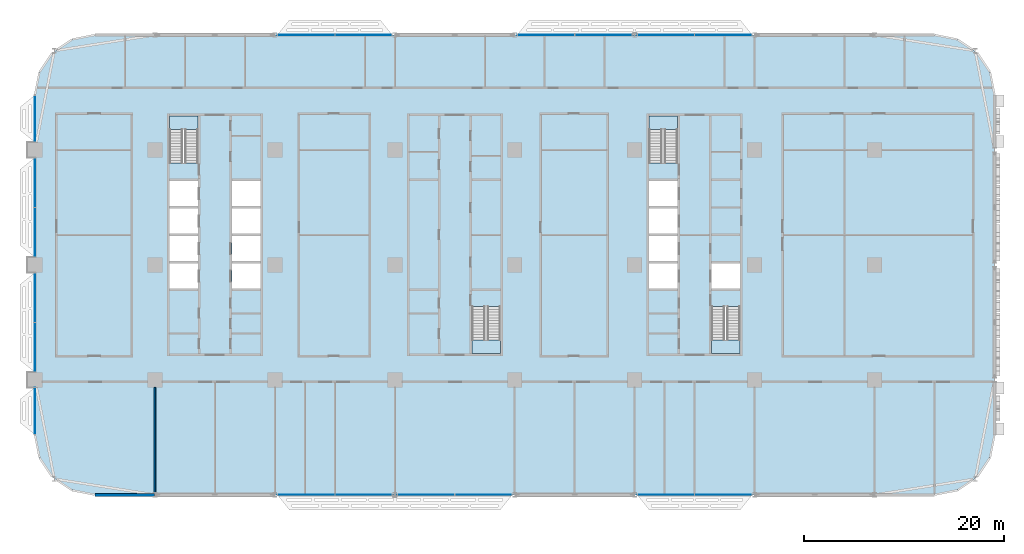
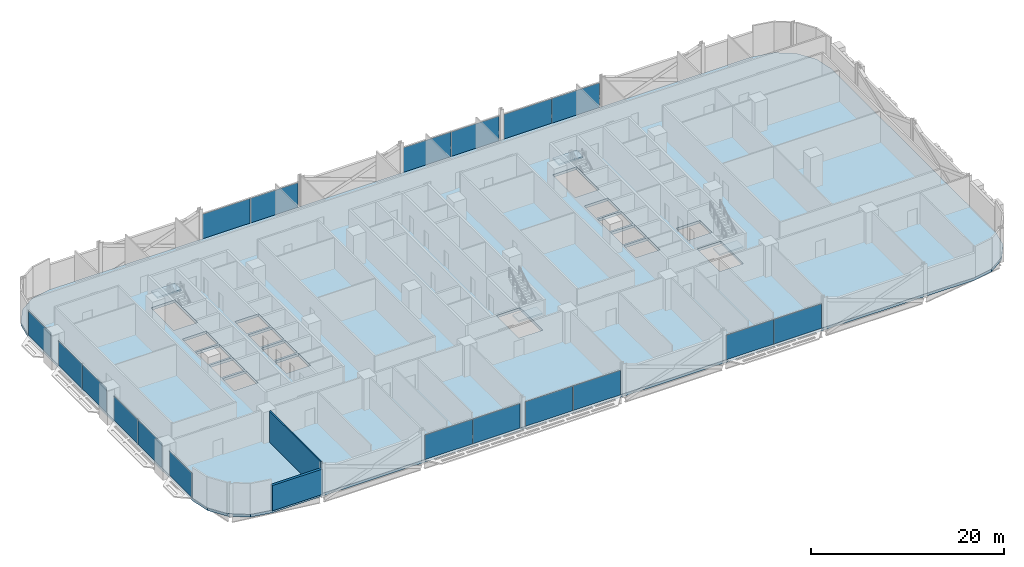
# One storey, part 11 of 29: 18 plates, 5 slabs, 2 walls, 14 elements without a shape of their own.
"""IFC4 building model written with IfcOpenShell, lengths in metres."""

from ifc_helpers import new_model, si_unit, direction, frame, frame_2d, origin, origin_2d, place, context, subcontext, project, spatial, polyline, rectangle, outline, extrude, material, layer, layer_set, type_object, element, aggregate, save


model = new_model("IFC4")

# Units and contexts
model_context = context("Model", 3, precision=1e-05, world=origin(), true_north=direction((0.0, 1.0)))
body_context = subcontext(model_context, "Body", "Model", "MODEL_VIEW")
ifc_project = project(units=[si_unit("LENGTHUNIT", "METRE"), si_unit("AREAUNIT", "SQUARE_METRE"), si_unit("VOLUMEUNIT", "CUBIC_METRE"), si_unit("PLANEANGLEUNIT", "RADIAN"), si_unit("MASSUNIT", "GRAM", prefix="KILO")], contexts=[model_context])

# Site, building, storey
site_placement = place(None, origin())
site = spatial("IfcSite", under=ifc_project, at=site_placement, CompositionType="ELEMENT")
building_placement = place(site_placement, origin())
building = spatial("IfcBuilding", under=site, at=building_placement, Name="Mahtab Terrace Research Tower", CompositionType="ELEMENT")
storey_placement = place(building_placement, frame((0.0, 0.0, 58.89990234375)))
storey = spatial("IfcBuildingStorey", under=building, at=storey_placement, Name="L13", CompositionType="ELEMENT", Elevation=58.89990234375)

# Stair, slab
ifc_material_1 = material(Name="Exit stair half-turn")
stair_type = type_object("IfcStairType", Name="Exit stair half-turn", PredefinedType="HALF_TURN_STAIR", material=ifc_material_1)
stair_1_placement = place(storey_placement, origin())
stair_1 = element("IfcStair", 1, at=stair_1_placement, inside=storey, type_object=stair_type, Name="L13 Protected exit stair ST1", PredefinedType="HALF_TURN_STAIR")
ifc_material_2 = material(Name="Concrete C40/50", Category="concrete")
ifc_layer_1 = layer(ifc_material_2, 0.199951171875)
ifc_layer_set_1 = layer_set([ifc_layer_1], Name="Exit stair landing 200")
slab_type_1 = type_object("IfcSlabType", Name="Exit stair landing 200", PredefinedType="LANDING", material=ifc_layer_set_1)
slab_1_placement = place(storey_placement, frame((0.0, 0.0, 1.9501953125)))
slab_1 = element("IfcSlab", 2, at=slab_1_placement, type_object=slab_type_1, Name="ST1 landing 1", PredefinedType="LANDING", context=body_context, shape_type="SweptSolid", body=[
    extrude(outline(polyline([(-25.699951171875, 13.534912109375), (-25.699951171875, 14.875), (-28.550048828125, 14.875), (-28.550048828125, 13.534912109375), (-25.699951171875, 13.534912109375)])), origin(), (0.0, 0.0, 1.0), 0.199951171875),
])
aggregate(stair_1, [slab_1])

stair_2_placement = place(storey_placement, origin())
stair_2 = element("IfcStair", 3, at=stair_2_placement, inside=storey, type_object=stair_type, Name="L13 Protected exit stair ST2", PredefinedType="HALF_TURN_STAIR")
slab_2_placement = place(storey_placement, frame((0.0, 0.0, 1.9501953125)))
slab_2 = element("IfcSlab", 4, at=slab_2_placement, type_object=slab_type_1, Name="ST2 landing 1", PredefinedType="LANDING", context=body_context, shape_type="SweptSolid", body=[
    extrude(outline(polyline([(1.699951171875, -7.534912109375), (1.699951171875, -8.875), (4.550048828125, -8.875), (4.550048828125, -7.534912109375), (1.699951171875, -7.534912109375)])), origin(), (0.0, 0.0, 1.0), 0.199951171875),
])
aggregate(stair_2, [slab_2])

stair_3_placement = place(storey_placement, origin())
stair_3 = element("IfcStair", 5, at=stair_3_placement, inside=storey, type_object=stair_type, Name="L13 Protected exit stair ST3", PredefinedType="HALF_TURN_STAIR")
slab_3_placement = place(storey_placement, frame((0.0, 0.0, 1.9501953125)))
slab_3 = element("IfcSlab", 6, at=slab_3_placement, type_object=slab_type_1, Name="ST3 landing 1", PredefinedType="LANDING", context=body_context, shape_type="SweptSolid", body=[
    extrude(outline(polyline([(22.300048828125, 13.534912109375), (22.300048828125, 14.875), (19.449951171875, 14.875), (19.449951171875, 13.534912109375), (22.300048828125, 13.534912109375)])), origin(), (0.0, 0.0, 1.0), 0.199951171875),
])
aggregate(stair_3, [slab_3])

stair_4_placement = place(storey_placement, origin())
stair_4 = element("IfcStair", 7, at=stair_4_placement, inside=storey, type_object=stair_type, Name="L13 Protected exit stair ST4", PredefinedType="HALF_TURN_STAIR")
slab_4_placement = place(storey_placement, frame((0.0, 0.0, 1.9501953125)))
slab_4 = element("IfcSlab", 8, at=slab_4_placement, type_object=slab_type_1, Name="ST4 landing 1", PredefinedType="LANDING", context=body_context, shape_type="SweptSolid", body=[
    extrude(outline(polyline([(25.699951171875, -7.534912109375), (25.699951171875, -8.875), (28.550048828125, -8.875), (28.550048828125, -7.534912109375), (25.699951171875, -7.534912109375)])), origin(), (0.0, 0.0, 1.0), 0.199951171875),
])
aggregate(stair_4, [slab_4])

# Curtain wall, plates
ifc_material_3 = material(Name="Laboratory ribbon curtain wall")
curtain_wall_type = type_object("IfcCurtainWallType", Name="Laboratory ribbon curtain wall", PredefinedType="NOTDEFINED", material=ifc_material_3)
curtain_wall_1_placement = place(storey_placement, origin())
curtain_wall_1 = element("IfcCurtainWall", 9, at=curtain_wall_1_placement, inside=storey, type_object=curtain_wall_type, Name="EN.L13.3.5", PredefinedType="NOTDEFINED")
ifc_material_4 = material(Name="Dark glazing", Category="glass")
ifc_layer_2 = layer(ifc_material_4, 0.031982421875)
ifc_layer_set_2 = layer_set([ifc_layer_2], Name="Laboratory ribbon curtain wall glazing panel")
plate_type = type_object("IfcPlateType", Name="Laboratory ribbon curtain wall glazing panel", PredefinedType="CURTAIN_PANEL", material=ifc_layer_set_2)
plate_1_placement = place(storey_placement, frame((26.86474609375, 23.0, 0.000244140625), z_axis=(0.0, 0.0, 1.0), x_axis=(-1.0, 0.0, 0.0)))
plate_1 = element("IfcPlate", 10, at=plate_1_placement, type_object=plate_type, Name="CWL-2 panel 1", PredefinedType="CURTAIN_PANEL", context=body_context, shape_type="SweptSolid", body=[
    extrude(rectangle(XDim=5.66455078125, YDim=0.031982421875, at=origin_2d()), origin(), (0.0, 0.0, 1.0), 3.10302734375),
])
plate_2_placement = place(storey_placement, frame((21.13525390625, 23.0, 0.000244140625), z_axis=(0.0, 0.0, 1.0), x_axis=(-1.0, 0.0, 0.0)))
plate_2 = element("IfcPlate", 11, at=plate_2_placement, type_object=plate_type, Name="CWL-2 panel 2", PredefinedType="CURTAIN_PANEL", context=body_context, shape_type="SweptSolid", body=[
    extrude(rectangle(XDim=5.66455078125, YDim=0.031982421875, at=origin_2d()), origin(), (0.0, 0.0, 1.0), 3.10302734375),
])
aggregate(curtain_wall_1, [plate_1, plate_2])

curtain_wall_2_placement = place(storey_placement, origin())
curtain_wall_2 = element("IfcCurtainWall", 12, at=curtain_wall_2_placement, inside=storey, type_object=curtain_wall_type, Name="EN.L13.3.6", PredefinedType="NOTDEFINED")
plate_3_placement = place(storey_placement, frame((14.86474609375, 23.0, 0.000244140625), z_axis=(0.0, 0.0, 1.0), x_axis=(-1.0, 0.0, 0.0)))
plate_3 = element("IfcPlate", 13, at=plate_3_placement, type_object=plate_type, Name="CWL-2 panel 1", PredefinedType="CURTAIN_PANEL", context=body_context, shape_type="SweptSolid", body=[
    extrude(rectangle(XDim=5.66455078125, YDim=0.031982421875, at=origin_2d()), origin(), (0.0, 0.0, 1.0), 3.10302734375),
])
plate_4_placement = place(storey_placement, frame((9.13525390625, 23.0, 0.000244140625), z_axis=(0.0, 0.0, 1.0), x_axis=(-1.0, 0.0, 0.0)))
plate_4 = element("IfcPlate", 14, at=plate_4_placement, type_object=plate_type, Name="CWL-2 panel 2", PredefinedType="CURTAIN_PANEL", context=body_context, shape_type="SweptSolid", body=[
    extrude(rectangle(XDim=5.66455078125, YDim=0.031982421875, at=origin_2d()), origin(), (0.0, 0.0, 1.0), 3.10302734375),
])
aggregate(curtain_wall_2, [plate_3, plate_4])

curtain_wall_3_placement = place(storey_placement, origin())
curtain_wall_3 = element("IfcCurtainWall", 15, at=curtain_wall_3_placement, inside=storey, type_object=curtain_wall_type, Name="EN.L13.3.8", PredefinedType="NOTDEFINED")
plate_5_placement = place(storey_placement, frame((-9.13525390625, 23.0, 0.000244140625), z_axis=(0.0, 0.0, 1.0), x_axis=(-1.0, 0.0, 0.0)))
plate_5 = element("IfcPlate", 16, at=plate_5_placement, type_object=plate_type, Name="CWL-2 panel 1", PredefinedType="CURTAIN_PANEL", context=body_context, shape_type="SweptSolid", body=[
    extrude(rectangle(XDim=5.66455078125, YDim=0.031982421875, at=origin_2d()), origin(), (0.0, 0.0, 1.0), 3.10302734375),
])
plate_6_placement = place(storey_placement, frame((-14.86474609375, 23.0, 0.000244140625), z_axis=(0.0, 0.0, 1.0), x_axis=(-1.0, 0.0, 0.0)))
plate_6 = element("IfcPlate", 17, at=plate_6_placement, type_object=plate_type, Name="CWL-2 panel 2", PredefinedType="CURTAIN_PANEL", context=body_context, shape_type="SweptSolid", body=[
    extrude(rectangle(XDim=5.66455078125, YDim=0.031982421875, at=origin_2d()), origin(), (0.0, 0.0, 1.0), 3.10302734375),
])
aggregate(curtain_wall_3, [plate_5, plate_6])

# Curtain wall, plate
curtain_wall_4_placement = place(storey_placement, origin())
curtain_wall_4 = element("IfcCurtainWall", 18, at=curtain_wall_4_placement, inside=storey, type_object=curtain_wall_type, Name="EN.L13.8.15", PredefinedType="NOTDEFINED")
plate_7_placement = place(storey_placement, frame((-42.0, 14.625, 0.000244140625), z_axis=(0.0, 0.0, 1.0), x_axis=(0.0, -1.0, 0.0)))
plate_7 = element("IfcPlate", 19, at=plate_7_placement, type_object=plate_type, Name="CWL-2 panel 1", PredefinedType="CURTAIN_PANEL", context=body_context, shape_type="SweptSolid", body=[
    extrude(rectangle(XDim=4.6201171875, YDim=0.031982421875, at=origin_2d()), origin(), (0.0, 0.0, 1.0), 3.10302734375),
])
aggregate(curtain_wall_4, [plate_7])

# Curtain wall, plates
curtain_wall_5_placement = place(storey_placement, origin())
curtain_wall_5 = element("IfcCurtainWall", 20, at=curtain_wall_5_placement, inside=storey, type_object=curtain_wall_type, Name="EN.L13.8.16", PredefinedType="NOTDEFINED")
plate_8_placement = place(storey_placement, frame((-42.0, 8.233642578125, 0.000244140625), z_axis=(0.0, 0.0, 1.0), x_axis=(0.0, -1.0, 0.0)))
plate_8 = element("IfcPlate", 21, at=plate_8_placement, type_object=plate_type, Name="CWL-2 panel 1", PredefinedType="CURTAIN_PANEL", context=body_context, shape_type="SweptSolid", body=[
    extrude(rectangle(XDim=4.902587890625, YDim=0.031982421875, at=origin_2d()), origin(), (0.0, 0.0, 1.0), 3.10302734375),
])
plate_9_placement = place(storey_placement, frame((-42.0, 3.266357421875, 0.000244140625), z_axis=(0.0, 0.0, 1.0), x_axis=(0.0, -1.0, 0.0)))
plate_9 = element("IfcPlate", 22, at=plate_9_placement, type_object=plate_type, Name="CWL-2 panel 2", PredefinedType="CURTAIN_PANEL", context=body_context, shape_type="SweptSolid", body=[
    extrude(rectangle(XDim=4.902587890625, YDim=0.031982421875, at=origin_2d()), origin(), (0.0, 0.0, 1.0), 3.10302734375),
])
aggregate(curtain_wall_5, [plate_8, plate_9])

curtain_wall_6_placement = place(storey_placement, origin())
curtain_wall_6 = element("IfcCurtainWall", 23, at=curtain_wall_6_placement, inside=storey, type_object=curtain_wall_type, Name="EN.L13.8.17", PredefinedType="NOTDEFINED")
plate_10_placement = place(storey_placement, frame((-42.0, -3.266357421875, 0.000244140625), z_axis=(0.0, 0.0, 1.0), x_axis=(0.0, -1.0, 0.0)))
plate_10 = element("IfcPlate", 24, at=plate_10_placement, type_object=plate_type, Name="CWL-2 panel 1", PredefinedType="CURTAIN_PANEL", context=body_context, shape_type="SweptSolid", body=[
    extrude(rectangle(XDim=4.902587890625, YDim=0.031982421875, at=origin_2d()), origin(), (0.0, 0.0, 1.0), 3.10302734375),
])
plate_11_placement = place(storey_placement, frame((-42.0, -8.233642578125, 0.000244140625), z_axis=(0.0, 0.0, 1.0), x_axis=(0.0, -1.0, 0.0)))
plate_11 = element("IfcPlate", 25, at=plate_11_placement, type_object=plate_type, Name="CWL-2 panel 2", PredefinedType="CURTAIN_PANEL", context=body_context, shape_type="SweptSolid", body=[
    extrude(rectangle(XDim=4.902587890625, YDim=0.031982421875, at=origin_2d()), origin(), (0.0, 0.0, 1.0), 3.10302734375),
])
aggregate(curtain_wall_6, [plate_10, plate_11])

# Curtain wall, plate
curtain_wall_7_placement = place(storey_placement, origin())
curtain_wall_7 = element("IfcCurtainWall", 26, at=curtain_wall_7_placement, inside=storey, type_object=curtain_wall_type, Name="EN.L13.8.18", PredefinedType="NOTDEFINED")
plate_12_placement = place(storey_placement, frame((-42.0, -14.625, 0.000244140625), z_axis=(0.0, 0.0, 1.0), x_axis=(0.0, -1.0, 0.0)))
plate_12 = element("IfcPlate", 27, at=plate_12_placement, type_object=plate_type, Name="CWL-2 panel 1", PredefinedType="CURTAIN_PANEL", context=body_context, shape_type="SweptSolid", body=[
    extrude(rectangle(XDim=4.6201171875, YDim=0.031982421875, at=origin_2d()), origin(), (0.0, 0.0, 1.0), 3.10302734375),
])
aggregate(curtain_wall_7, [plate_12])

# Curtain wall, plates
curtain_wall_8_placement = place(storey_placement, origin())
curtain_wall_8 = element("IfcCurtainWall", 28, at=curtain_wall_8_placement, inside=storey, type_object=curtain_wall_type, Name="EN.L13.13.25", PredefinedType="NOTDEFINED")
plate_13_placement = place(storey_placement, frame((-14.86474609375, -23.0, 0.000244140625), z_axis=(0.0, 0.0, 1.0), x_axis=(1.0, 0.0, 0.0)))
plate_13 = element("IfcPlate", 29, at=plate_13_placement, type_object=plate_type, Name="CWL-2 panel 1", PredefinedType="CURTAIN_PANEL", context=body_context, shape_type="SweptSolid", body=[
    extrude(rectangle(XDim=5.66455078125, YDim=0.031982421875, at=origin_2d()), origin(), (0.0, 0.0, 1.0), 3.10302734375),
])
plate_14_placement = place(storey_placement, frame((-9.13525390625, -23.0, 0.000244140625), z_axis=(0.0, 0.0, 1.0), x_axis=(1.0, 0.0, 0.0)))
plate_14 = element("IfcPlate", 30, at=plate_14_placement, type_object=plate_type, Name="CWL-2 panel 2", PredefinedType="CURTAIN_PANEL", context=body_context, shape_type="SweptSolid", body=[
    extrude(rectangle(XDim=5.66455078125, YDim=0.031982421875, at=origin_2d()), origin(), (0.0, 0.0, 1.0), 3.10302734375),
])
aggregate(curtain_wall_8, [plate_13, plate_14])

curtain_wall_9_placement = place(storey_placement, origin())
curtain_wall_9 = element("IfcCurtainWall", 31, at=curtain_wall_9_placement, inside=storey, type_object=curtain_wall_type, Name="EN.L13.13.26", PredefinedType="NOTDEFINED")
plate_15_placement = place(storey_placement, frame((-2.86474609375, -23.0, 0.000244140625), z_axis=(0.0, 0.0, 1.0), x_axis=(1.0, 0.0, 0.0)))
plate_15 = element("IfcPlate", 32, at=plate_15_placement, type_object=plate_type, Name="CWL-2 panel 1", PredefinedType="CURTAIN_PANEL", context=body_context, shape_type="SweptSolid", body=[
    extrude(rectangle(XDim=5.66455078125, YDim=0.031982421875, at=origin_2d()), origin(), (0.0, 0.0, 1.0), 3.10302734375),
])
plate_16_placement = place(storey_placement, frame((2.86474609375, -23.0, 0.000244140625), z_axis=(0.0, 0.0, 1.0), x_axis=(1.0, 0.0, 0.0)))
plate_16 = element("IfcPlate", 33, at=plate_16_placement, type_object=plate_type, Name="CWL-2 panel 2", PredefinedType="CURTAIN_PANEL", context=body_context, shape_type="SweptSolid", body=[
    extrude(rectangle(XDim=5.66455078125, YDim=0.031982421875, at=origin_2d()), origin(), (0.0, 0.0, 1.0), 3.10302734375),
])
aggregate(curtain_wall_9, [plate_15, plate_16])

curtain_wall_10_placement = place(storey_placement, origin())
curtain_wall_10 = element("IfcCurtainWall", 34, at=curtain_wall_10_placement, inside=storey, type_object=curtain_wall_type, Name="EN.L13.13.28", PredefinedType="NOTDEFINED")
plate_17_placement = place(storey_placement, frame((21.13525390625, -23.0, 0.000244140625), z_axis=(0.0, 0.0, 1.0), x_axis=(1.0, 0.0, 0.0)))
plate_17 = element("IfcPlate", 35, at=plate_17_placement, type_object=plate_type, Name="CWL-2 panel 1", PredefinedType="CURTAIN_PANEL", context=body_context, shape_type="SweptSolid", body=[
    extrude(rectangle(XDim=5.66455078125, YDim=0.031982421875, at=origin_2d()), origin(), (0.0, 0.0, 1.0), 3.10302734375),
])
plate_18_placement = place(storey_placement, frame((26.86474609375, -23.0, 0.000244140625), z_axis=(0.0, 0.0, 1.0), x_axis=(1.0, 0.0, 0.0)))
plate_18 = element("IfcPlate", 36, at=plate_18_placement, type_object=plate_type, Name="CWL-2 panel 2", PredefinedType="CURTAIN_PANEL", context=body_context, shape_type="SweptSolid", body=[
    extrude(rectangle(XDim=5.66455078125, YDim=0.031982421875, at=origin_2d()), origin(), (0.0, 0.0, 1.0), 3.10302734375),
])
aggregate(curtain_wall_10, [plate_17, plate_18])

# Slab
ifc_layer_3 = layer(ifc_material_2, 0.340087890625)
ifc_layer_set_3 = layer_set([ifc_layer_3], Name="PT flat slab 340")
slab_type_2 = type_object("IfcSlabType", Name="PT flat slab 340", PredefinedType="FLOOR", material=ifc_layer_set_3)
slab_5_placement = place(storey_placement, frame((0.0, 0.0, -0.33984375)))
element("IfcSlab", 37, at=slab_5_placement, inside=storey, type_object=slab_type_2, Name="Floor slab L13", PredefinedType="FLOOR", context=body_context, shape_type="SweptSolid", body=[
    extrude(outline(polyline([(53.54296875, 19.2958984375), (52.242919921875, 21.242919921875), (50.2958984375, 22.54296875), (48.0, 23.0), (-36.0, 23.0), (-38.2958984375, 22.54296875), (-40.242919921875, 21.242919921875), (-41.54296875, 19.2958984375), (-42.0, 17.0), (-42.0, -17.0), (-41.54296875, -19.2958984375), (-40.242919921875, -21.242919921875), (-38.2958984375, -22.54296875), (-36.0, -23.0), (48.0, -23.0), (50.2958984375, -22.54296875), (52.242919921875, -21.242919921875), (53.54296875, -19.2958984375), (54.0, -17.0), (54.0, 17.0), (53.54296875, 19.2958984375)]), holes=[polyline([(-28.550048828125, -2.375), (-28.550048828125, 0.125), (-25.699951171875, 0.125), (-25.699951171875, -2.375), (-28.550048828125, -2.375)]), polyline([(-22.300048828125, -2.375), (-22.300048828125, 0.125), (-19.449951171875, 0.125), (-19.449951171875, -2.375), (-22.300048828125, -2.375)]), polyline([(-28.550048828125, 0.375), (-28.550048828125, 2.875), (-25.699951171875, 2.875), (-25.699951171875, 0.375), (-28.550048828125, 0.375)]), polyline([(-22.300048828125, 0.375), (-22.300048828125, 2.875), (-19.449951171875, 2.875), (-19.449951171875, 0.375), (-22.300048828125, 0.375)]), polyline([(-28.550048828125, 3.125), (-28.550048828125, 5.625), (-25.699951171875, 5.625), (-25.699951171875, 3.125), (-28.550048828125, 3.125)]), polyline([(-22.300048828125, 3.125), (-22.300048828125, 5.625), (-19.449951171875, 5.625), (-19.449951171875, 3.125), (-22.300048828125, 3.125)]), polyline([(-28.550048828125, 5.875), (-28.550048828125, 8.375), (-25.699951171875, 8.375), (-25.699951171875, 5.875), (-28.550048828125, 5.875)]), polyline([(-22.300048828125, 5.875), (-22.300048828125, 8.375), (-19.449951171875, 8.375), (-19.449951171875, 5.875), (-22.300048828125, 5.875)]), polyline([(-28.550048828125, 10.177001953125), (-28.550048828125, 14.875), (-25.699951171875, 14.875), (-25.699951171875, 10.177001953125), (-28.550048828125, 10.177001953125)]), polyline([(1.699951171875, -8.875), (1.699951171875, -4.177001953125), (4.550048828125, -4.177001953125), (4.550048828125, -8.875), (1.699951171875, -8.875)]), polyline([(25.699951171875, -8.875), (25.699951171875, -4.177001953125), (28.550048828125, -4.177001953125), (28.550048828125, -8.875), (25.699951171875, -8.875)]), polyline([(19.449951171875, -2.375), (19.449951171875, 0.125), (22.300048828125, 0.125), (22.300048828125, -2.375), (19.449951171875, -2.375)]), polyline([(25.699951171875, -2.375), (25.699951171875, 0.125), (28.550048828125, 0.125), (28.550048828125, -2.375), (25.699951171875, -2.375)]), polyline([(19.449951171875, 0.375), (19.449951171875, 2.875), (22.300048828125, 2.875), (22.300048828125, 0.375), (19.449951171875, 0.375)]), polyline([(19.449951171875, 3.125), (19.449951171875, 5.625), (22.300048828125, 5.625), (22.300048828125, 3.125), (19.449951171875, 3.125)]), polyline([(19.449951171875, 8.375), (22.300048828125, 8.375), (22.300048828125, 5.875), (19.449951171875, 5.875), (19.449951171875, 8.375)]), polyline([(19.449951171875, 14.875), (22.300048828125, 14.875), (22.300048828125, 10.177001953125), (19.449951171875, 10.177001953125), (19.449951171875, 14.875)])]), origin(), (0.0, 0.0, 1.0), 0.33984375),
])

# Walls
ifc_material_5 = material(Name="Black aluminium cladding panel", Category="aluminium")
ifc_layer_4 = layer(ifc_material_5, 0.300048828125)
ifc_layer_set_4 = layer_set([ifc_layer_4], Name="Opaque facade wall 300")
wall_type_1 = type_object("IfcWallType", Name="Opaque facade wall 300", PredefinedType="NOTDEFINED", material=ifc_layer_set_4)
wall_1_placement = place(storey_placement, frame((-36.0, -23.0, 0.0), z_axis=(0.0, 0.0, 1.0), x_axis=(1.0, 0.0, 0.0)))
element("IfcWall", 38, at=wall_1_placement, inside=storey, type_object=wall_type_1, Name="Opaque facade wall L13 S23", PredefinedType="NOTDEFINED", context=body_context, shape_type="SweptSolid", body=[
    extrude(rectangle(XDim=5.97607421875, YDim=0.300048828125, at=frame_2d((2.988037109375, 0.0))), origin(), (0.0, 0.0, 1.0), 3.203125),
])
ifc_material_6 = material(Name="Gypsum board partition on steel studs", Category="steel")
ifc_layer_5 = layer(ifc_material_6, 0.14990234375)
ifc_layer_set_5 = layer_set([ifc_layer_5], Name="WALL PARTITION 150")
wall_type_2 = type_object("IfcWallType", Name="WALL PARTITION 150", PredefinedType="PARTITIONING", material=ifc_layer_set_5)
wall_2_placement = place(storey_placement, frame((-30.0, -22.85009765625, 0.0), z_axis=(0.0, 0.0, 1.0), x_axis=(0.0, 1.0, 0.0)))
element("IfcWall", 39, at=wall_2_placement, inside=storey, type_object=wall_type_2, Name="L13-W030", PredefinedType="PARTITIONING", context=body_context, shape_type="SweptSolid", body=[
    extrude(rectangle(XDim=10.60009765625, YDim=0.14990234375, at=frame_2d((5.300048828125, 0.0))), origin(), (0.0, 0.0, 1.0), 3.960205078125),
])

save(model, "model.ifc")
